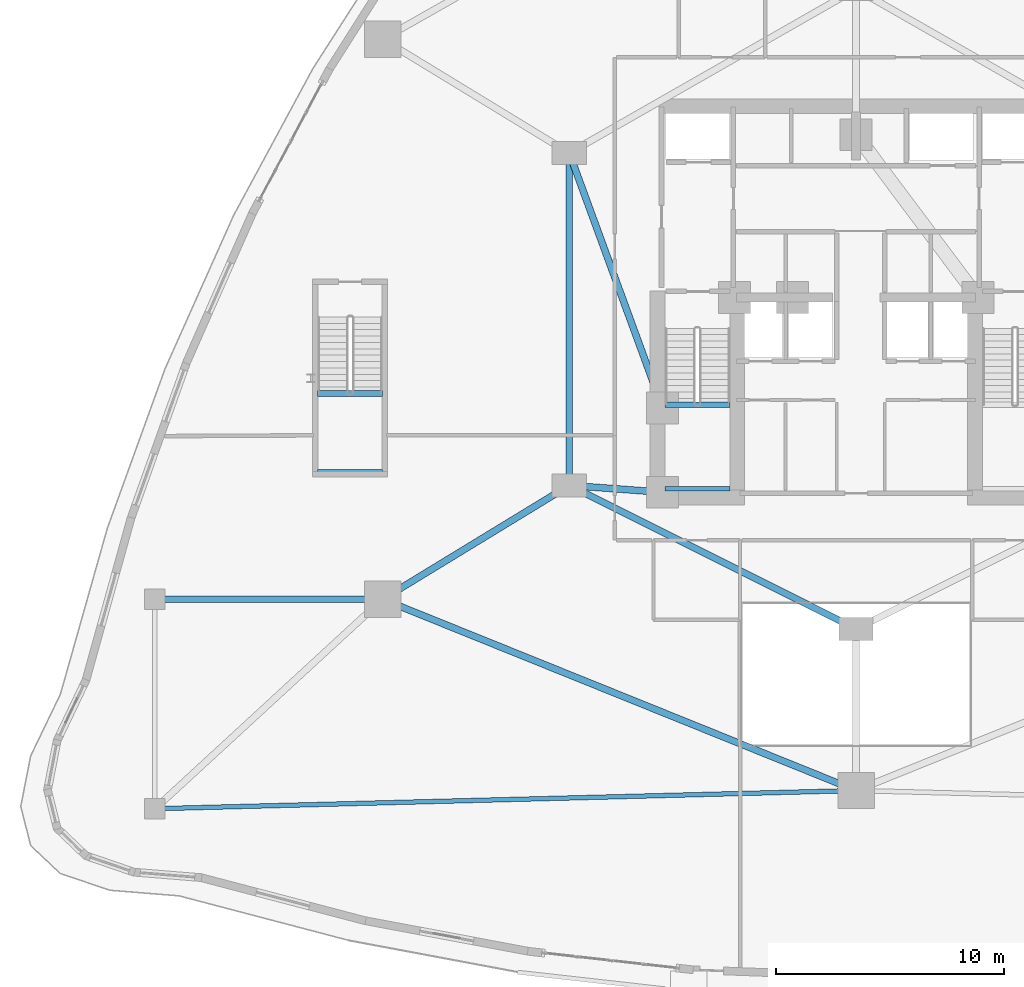
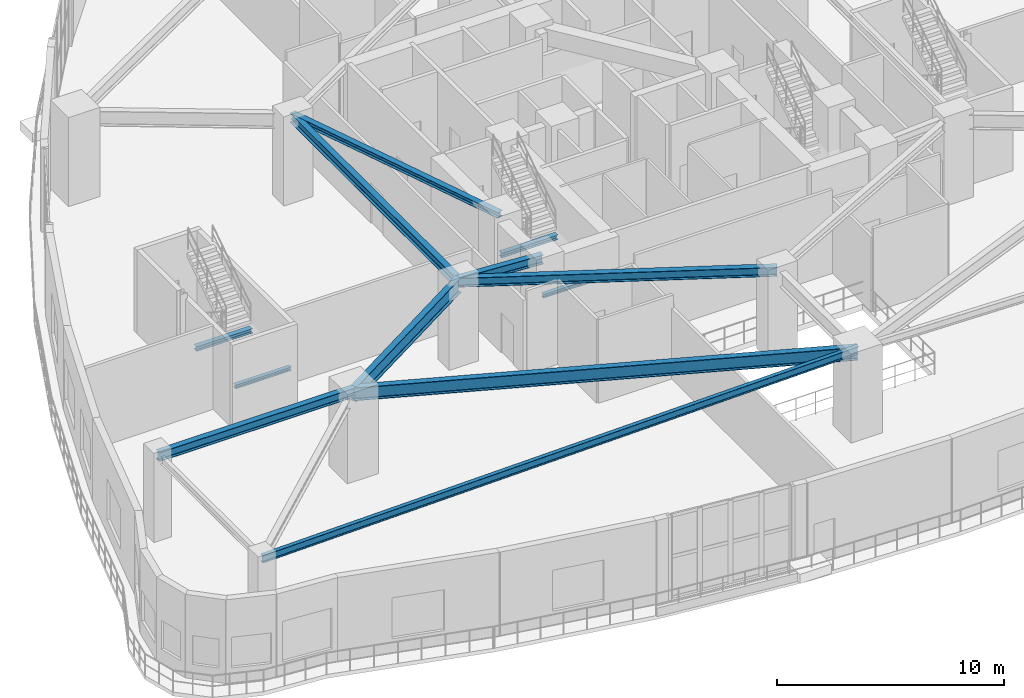
# One storey, part 5 of 25: 12 beams.
"""IFC4 building model written with IfcOpenShell, lengths in metres."""

from ifc_helpers import new_model, si_unit, direction, frame, origin, origin_2d, place, context, subcontext, project, spatial, i_section, extrude, material, material_profile, profile_set, type_object, element, save


model = new_model("IFC4")

# Units and contexts
model_context = context("Model", 3, precision=1e-05, world=origin(), true_north=direction((0.0, 1.0)))
body_context = subcontext(model_context, "Body", "Model", "MODEL_VIEW")
ifc_project = project(units=[si_unit("LENGTHUNIT", "METRE"), si_unit("AREAUNIT", "SQUARE_METRE"), si_unit("VOLUMEUNIT", "CUBIC_METRE"), si_unit("PLANEANGLEUNIT", "RADIAN"), si_unit("MASSUNIT", "GRAM", prefix="KILO")], contexts=[model_context])

# Site, building, storey
site_placement = place(None, origin())
site = spatial("IfcSite", under=ifc_project, at=site_placement, CompositionType="ELEMENT")
building_placement = place(site_placement, origin())
building = spatial("IfcBuilding", under=site, at=building_placement, Name="Miruveldt Soraemaru", CompositionType="ELEMENT")
storey_placement = place(building_placement, frame((0.0, 0.0, 4.800048828125)))
storey = spatial("IfcBuildingStorey", under=building, at=storey_placement, Name="L02", CompositionType="ELEMENT", Elevation=4.800048828125)

# Beams
ifc_material_1 = material(Name="Steel SM355 (355 MPa)", Category="steel")
ifc_material_profile_1 = material_profile(ifc_material_1, i_section(OverallWidth=0.300048828125, OverallDepth=0.300048828125, WebThickness=0.010009765625, FlangeThickness=0.014892578125, FilletRadius=0.01806640625, at=origin_2d()), Name="Steel SM355 (355 MPa)", Category="steel")
ifc_profile_set_1 = profile_set([ifc_material_profile_1], Name="Steel SM355 (355 MPa)")
beam_type_1 = type_object("IfcBeamType", Name="BM-LNT-H300", PredefinedType="LINTEL", material=ifc_profile_set_1)
beam_1_placement = place(storey_placement, frame((31.39990234375, 50.39990234375, 4.349853515625), z_axis=(0.343770424598, -0.939053723262, 0.0), x_axis=(0.939053723262, 0.343770424598, 0.0)))
element("IfcBeam", 1, at=beam_1_placement, inside=storey, type_object=beam_type_1, Name="L02 West Lobby Lintel", PredefinedType="LINTEL", context=body_context, shape_type="SweptSolid", body=[
    extrude(i_section(OverallWidth=0.300048828125, OverallDepth=0.300048828125, WebThickness=0.010009765625, FlangeThickness=0.014892578125, FilletRadius=0.01806640625, at=origin_2d()), origin(), (0.0, 0.0, 1.0), 11.9267578125),
])
ifc_material_profile_2 = material_profile(ifc_material_1, i_section(OverallWidth=0.199951171875, OverallDepth=0.39990234375, WebThickness=0.008056640625, FlangeThickness=0.012939453125, FilletRadius=0.01611328125, at=origin_2d()), Name="Steel SM355 (355 MPa)", Category="steel")
ifc_profile_set_2 = profile_set([ifc_material_profile_2], Name="Steel SM355 (355 MPa)")
beam_type_2 = type_object("IfcBeamType", Name="BM-ST-H400", PredefinedType="JOIST", material=ifc_profile_set_2)
beam_2_placement = place(storey_placement, frame((13.199951171875, 21.60009765625, 4.300048828125), z_axis=(0.999663011165, 0.025958892686, 0.0), x_axis=(-0.025958892686, 0.999663011165, 0.0)))
element("IfcBeam", 2, at=beam_2_placement, inside=storey, type_object=beam_type_2, Name="L02 Podium South-West Tie Beam", PredefinedType="JOIST", context=body_context, shape_type="SweptSolid", body=[
    extrude(i_section(OverallWidth=0.199951171875, OverallDepth=0.39990234375, WebThickness=0.008056640625, FlangeThickness=0.012939453125, FilletRadius=0.01611328125, at=origin_2d()), origin(), (0.0, 0.0, 1.0), 30.810546875),
])
ifc_material_profile_3 = material_profile(ifc_material_1, i_section(OverallWidth=0.300048828125, OverallDepth=0.488037109375, WebThickness=0.010986328125, FlangeThickness=0.01806640625, FilletRadius=0.02587890625, at=origin_2d()), Name="Steel SM355 (355 MPa)", Category="steel")
ifc_profile_set_3 = profile_set([ifc_material_profile_3], Name="Steel SM355 (355 MPa)")
beam_type_3 = type_object("IfcBeamType", Name="BM-ST-H488", PredefinedType="BEAM", material=ifc_profile_set_3)
beam_3_placement = place(storey_placement, frame((44.0, 29.5, 4.255859375), z_axis=(-0.894427191, 0.4472135955, 0.0), x_axis=(-0.4472135955, -0.894427191, 0.0)))
element("IfcBeam", 3, at=beam_3_placement, inside=storey, type_object=beam_type_3, Name="L02 Inner Ring Girder 4", PredefinedType="BEAM", context=body_context, shape_type="SweptSolid", body=[
    extrude(i_section(OverallWidth=0.300048828125, OverallDepth=0.488037109375, WebThickness=0.010986328125, FlangeThickness=0.01806640625, FilletRadius=0.02587890625, at=origin_2d()), origin(), (0.0, 0.0, 1.0), 14.08740234375),
])
beam_4_placement = place(storey_placement, frame((31.39990234375, 35.800048828125, 4.255859375), z_axis=(0.0, 1.0, 0.0), x_axis=(-1.0, 0.0, 0.0)))
element("IfcBeam", 4, at=beam_4_placement, inside=storey, type_object=beam_type_3, Name="L02 Inner Ring Girder 5", PredefinedType="BEAM", context=body_context, shape_type="SweptSolid", body=[
    extrude(i_section(OverallWidth=0.300048828125, OverallDepth=0.488037109375, WebThickness=0.010986328125, FlangeThickness=0.01806640625, FilletRadius=0.02587890625, at=origin_2d()), origin(), (0.0, 0.0, 1.0), 14.599853515625),
])
beam_5_placement = place(storey_placement, frame((35.5, 35.5, 4.255859375), z_axis=(-0.997332985605, 0.072985723431, 0.0), x_axis=(-0.072985723431, -0.997332985605, 0.0)))
element("IfcBeam", 5, at=beam_5_placement, inside=storey, type_object=beam_type_3, Name="L02 Core-to-Inner Radial Girder 5", PredefinedType="BEAM", context=body_context, shape_type="SweptSolid", body=[
    extrude(i_section(OverallWidth=0.300048828125, OverallDepth=0.488037109375, WebThickness=0.010986328125, FlangeThickness=0.01806640625, FilletRadius=0.02587890625, at=origin_2d()), origin(), (0.0, 0.0, 1.0), 4.111083984375),
])
beam_6_placement = place(storey_placement, frame((23.199951171875, 30.800048828125, 4.255859375), z_axis=(-1.0, 0.0, 0.0), x_axis=(0.0, -1.0, 0.0)))
element("IfcBeam", 6, at=beam_6_placement, inside=storey, type_object=beam_type_3, Name="L02 Podium West Bay Girder 1", PredefinedType="BEAM", context=body_context, shape_type="SweptSolid", body=[
    extrude(i_section(OverallWidth=0.300048828125, OverallDepth=0.488037109375, WebThickness=0.010986328125, FlangeThickness=0.01806640625, FilletRadius=0.02587890625, at=origin_2d()), origin(), (0.0, 0.0, 1.0), 10.0),
])
ifc_material_profile_4 = material_profile(ifc_material_1, i_section(OverallWidth=0.300048828125, OverallDepth=0.699951171875, WebThickness=0.012939453125, FlangeThickness=0.02392578125, FilletRadius=0.028076171875, at=origin_2d()), Name="Steel SM355 (355 MPa)", Category="steel")
ifc_profile_set_4 = profile_set([ifc_material_profile_4], Name="Steel SM355 (355 MPa)")
beam_type_4 = type_object("IfcBeamType", Name="BM-ST-H700", PredefinedType="BEAM", material=ifc_profile_set_4)
beam_7_placement = place(storey_placement, frame((44.0, 22.39990234375, 4.14990234375), z_axis=(-0.927239874954, 0.374467908231, 0.0), x_axis=(-0.374467908231, -0.927239874954, 0.0)))
element("IfcBeam", 7, at=beam_7_placement, inside=storey, type_object=beam_type_4, Name="L02 Podium Ring Girder 4", PredefinedType="BEAM", context=body_context, shape_type="SweptSolid", body=[
    extrude(i_section(OverallWidth=0.300048828125, OverallDepth=0.699951171875, WebThickness=0.012939453125, FlangeThickness=0.02392578125, FilletRadius=0.028076171875, at=origin_2d()), origin(), (0.0, 0.0, 1.0), 22.43212890625),
])
ifc_material_2 = material(Name="Steel S460 (460 MPa)", Category="steel")
ifc_material_profile_5 = material_profile(ifc_material_2, i_section(OverallWidth=0.300048828125, OverallDepth=0.800048828125, WebThickness=0.013916015625, FlangeThickness=0.02587890625, FilletRadius=0.028076171875, at=origin_2d()), Name="Steel S460 (460 MPa)", Category="steel")
ifc_profile_set_5 = profile_set([ifc_material_profile_5], Name="Steel S460 (460 MPa)")
beam_type_5 = type_object("IfcBeamType", Name="BM-ST-H800", PredefinedType="BEAM", material=ifc_profile_set_5)
beam_8_placement = place(storey_placement, frame((31.39990234375, 35.800048828125, 4.099853515625), z_axis=(-0.853794797843, -0.520609684098, 0.0), x_axis=(0.520609684098, -0.853794797843, 0.0)))
element("IfcBeam", 8, at=beam_8_placement, inside=storey, type_object=beam_type_5, Name="L02 Podium Radial Girder 5", PredefinedType="BEAM", context=body_context, shape_type="SweptSolid", body=[
    extrude(i_section(OverallWidth=0.300048828125, OverallDepth=0.800048828125, WebThickness=0.013916015625, FlangeThickness=0.02587890625, FilletRadius=0.028076171875, at=origin_2d()), origin(), (0.0, 0.0, 1.0), 9.60400390625),
])
ifc_material_profile_6 = material_profile(ifc_material_1, i_section(OverallWidth=0.199951171875, OverallDepth=0.199951171875, WebThickness=0.008056640625, FlangeThickness=0.011962890625, FilletRadius=0.012939453125, at=origin_2d()), Name="Steel SM355 (355 MPa)", Category="steel")
ifc_profile_set_6 = profile_set([ifc_material_profile_6], Name="Steel SM355 (355 MPa)")
beam_type_6 = type_object("IfcBeamType", Name="BM-ST-LND200", PredefinedType="BEAM", material=ifc_profile_set_6)
for number, where, z_axis, x_axis, name in (
    (9, (35.60009765625, 35.64990234375, 2.099853515625), (1.0, 0.0, 0.0), (0.0, 1.0, 0.0), "L02 ST1 Landing End Beam 1B"),
    (10, (20.35009765625, 36.39990234375, 2.099853515625), (1.0, 0.0, 0.0), (0.0, 1.0, 0.0), "L02 ST3 Landing End Beam 1B"),
):
    element("IfcBeam", number, at=place(storey_placement, frame(where, z_axis=z_axis, x_axis=x_axis)), inside=storey, type_object=beam_type_6, Name=name, PredefinedType="BEAM", context=body_context, shape_type="SweptSolid", body=[
        extrude(i_section(OverallWidth=0.199951171875, OverallDepth=0.199951171875, WebThickness=0.008056640625, FlangeThickness=0.011962890625, FilletRadius=0.012939453125, at=origin_2d()), origin(), (0.0, 0.0, 1.0), 2.849853515625),
    ])
ifc_material_profile_7 = material_profile(ifc_material_1, i_section(OverallWidth=0.25, OverallDepth=0.25, WebThickness=0.009033203125, FlangeThickness=0.013916015625, FilletRadius=0.01611328125, at=origin_2d()), Name="Steel SM355 (355 MPa)", Category="steel")
ifc_profile_set_7 = profile_set([ifc_material_profile_7], Name="Steel SM355 (355 MPa)")
beam_type_7 = type_object("IfcBeamType", Name="BM-ST-LND250", PredefinedType="BEAM", material=ifc_profile_set_7)
for number, where, z_axis, x_axis, name in (
    (11, (35.60009765625, 39.340087890625, 2.074951171875), (1.0, 0.0, 0.0), (0.0, 1.0, 0.0), "L02 ST1 Landing Support Beam 1A"),
    (12, (20.35009765625, 39.840087890625, 2.074951171875), (1.0, 0.0, 0.0), (0.0, 1.0, 0.0), "L02 ST3 Landing Support Beam 1A"),
):
    element("IfcBeam", number, at=place(storey_placement, frame(where, z_axis=z_axis, x_axis=x_axis)), inside=storey, type_object=beam_type_7, Name=name, PredefinedType="BEAM", context=body_context, shape_type="SweptSolid", body=[
        extrude(i_section(OverallWidth=0.25, OverallDepth=0.25, WebThickness=0.009033203125, FlangeThickness=0.013916015625, FilletRadius=0.01611328125, at=origin_2d()), origin(), (0.0, 0.0, 1.0), 2.849853515625),
    ])

save(model, "model.ifc")
